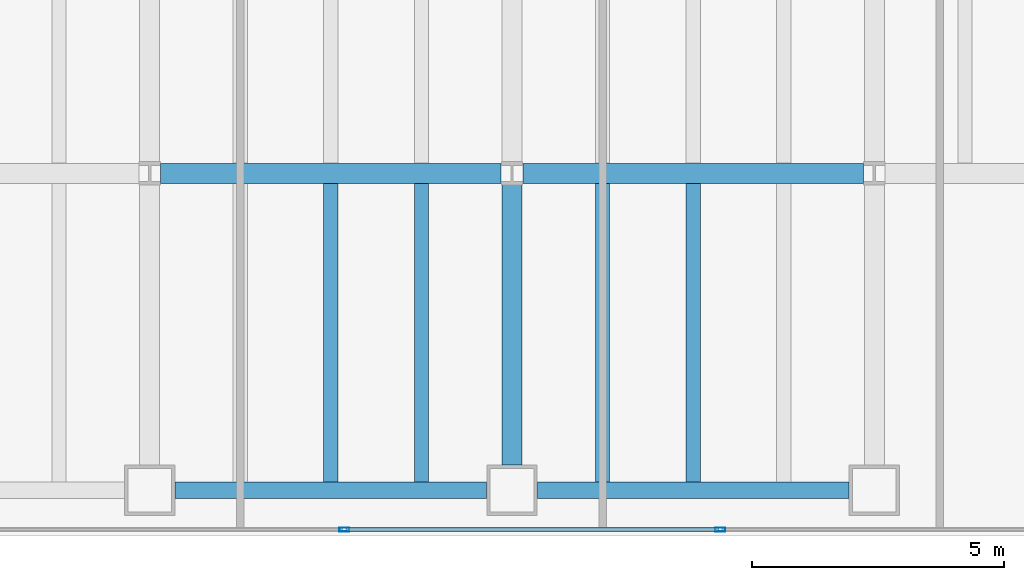
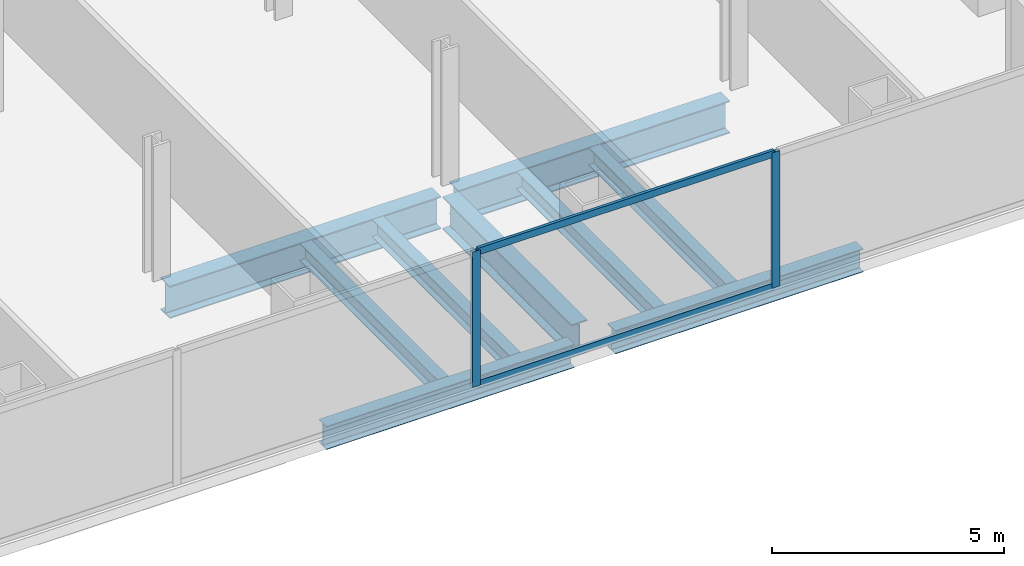
# One storey, part 7 of 23: 9 beams, 4 members, 1 element without a shape of its own.
"""IFC4 building model written with IfcOpenShell, lengths in metres."""

from ifc_helpers import new_model, si_unit, direction, frame, origin, origin_2d, place, context, subcontext, project, spatial, hollow_rectangle, i_section, extrude, material, material_profile, profile_set, type_object, element, aggregate, save


model = new_model("IFC4")

# Units and contexts
model_context = context("Model", 3, precision=1e-05, world=origin(), true_north=direction((0.0, 1.0)))
body_context = subcontext(model_context, "Body", "Model", "MODEL_VIEW")
ifc_project = project(units=[si_unit("LENGTHUNIT", "METRE"), si_unit("AREAUNIT", "SQUARE_METRE"), si_unit("VOLUMEUNIT", "CUBIC_METRE"), si_unit("PLANEANGLEUNIT", "RADIAN"), si_unit("MASSUNIT", "GRAM", prefix="KILO")], contexts=[model_context])

# Site, building, storey
site_placement = place(None, origin())
site = spatial("IfcSite", under=ifc_project, at=site_placement, CompositionType="ELEMENT")
building_placement = place(site_placement, origin())
building = spatial("IfcBuilding", under=site, at=building_placement, Name="Cobrela Telecom Tower", CompositionType="ELEMENT")
storey_placement = place(building_placement, frame((0.0, 0.0, 54.25)))
storey = spatial("IfcBuildingStorey", under=building, at=storey_placement, Name="L13", CompositionType="ELEMENT", Elevation=54.25)

# Beams
ifc_material_1 = material(Name="Steel ASTM A992 Grade 50", Category="steel")
ifc_material_profile_1 = material_profile(ifc_material_1, i_section(OverallWidth=0.39892578125, OverallDepth=0.85595703125, WebThickness=0.018310546875, FlangeThickness=0.029296875, FilletRadius=0.02001953125, at=origin_2d()), Name="W33X201")
ifc_profile_set_1 = profile_set([ifc_material_profile_1], Name="Steel ASTM A992 Grade 50")
beam_type_1 = type_object("IfcBeamType", Name="BM-GIRD-03", PredefinedType="USERDEFINED", material=ifc_profile_set_1)
for number, where, z_axis, x_axis, name in (
    (1, (29.01611328125, 7.199951171875, -0.7080078125), (1.0, 0.0, 0.0), (0.0, 1.0, 0.0), "L13 Primary Girder X10"),
    (2, (36.216064453125, 7.199951171875, -0.7080078125), (1.0, 0.0, 0.0), (0.0, 1.0, 0.0), "L13 Primary Girder X11"),
):
    element("IfcBeam", number, at=place(storey_placement, frame(where, z_axis=z_axis, x_axis=x_axis)), inside=storey, type_object=beam_type_1, Name=name, ObjectType="GIRDER", PredefinedType="USERDEFINED", context=body_context, shape_type="SweptSolid", body=[
        extrude(i_section(OverallWidth=0.39892578125, OverallDepth=0.85595703125, WebThickness=0.018310546875, FlangeThickness=0.029296875, FilletRadius=0.02001953125, at=origin_2d()), origin(), (0.0, 0.0, 1.0), 6.767822265625),
    ])
beam_placement = place(storey_placement, frame((36.0, 1.405029296875, -0.7080078125), z_axis=(0.0, 1.0, 0.0), x_axis=(-1.0, 0.0, 0.0)))
element("IfcBeam", 3, at=beam_placement, inside=storey, type_object=beam_type_1, Name="L13 Primary Girder Y50", ObjectType="GIRDER", PredefinedType="USERDEFINED", context=body_context, shape_type="SweptSolid", body=[
    extrude(i_section(OverallWidth=0.39892578125, OverallDepth=0.85595703125, WebThickness=0.018310546875, FlangeThickness=0.029296875, FilletRadius=0.02001953125, at=origin_2d()), origin(), (0.0, 0.0, 1.0), 5.578857421875),
])
ifc_material_profile_2 = material_profile(ifc_material_1, i_section(OverallWidth=0.281982421875, OverallDepth=0.467041015625, WebThickness=0.01220703125, FlangeThickness=0.01953125, FilletRadius=0.012939453125, at=origin_2d()), Name="W18X86")
ifc_profile_set_2 = profile_set([ifc_material_profile_2], Name="Steel ASTM A992 Grade 50")
beam_type_2 = type_object("IfcBeamType", Name="BM-JOIST-02", PredefinedType="JOIST", material=ifc_profile_set_2)
for number, where, z_axis, x_axis, name in (
    (4, (32.39990234375, 1.0673828125, -0.513427734375), (0.0, 1.0, 0.0), (-1.0, 0.0, 0.0), "L13 Secondary Composite Floor Beam J44"),
    (5, (34.199951171875, 1.0673828125, -0.513427734375), (0.0, 1.0, 0.0), (-1.0, 0.0, 0.0), "L13 Secondary Composite Floor Beam J47"),
    (6, (37.800048828125, 1.0673828125, -0.513427734375), (0.0, 1.0, 0.0), (-1.0, 0.0, 0.0), "L13 Secondary Composite Floor Beam J50"),
    (7, (39.60009765625, 1.0673828125, -0.513427734375), (0.0, 1.0, 0.0), (-1.0, 0.0, 0.0), "L13 Secondary Composite Floor Beam J53"),
):
    element("IfcBeam", number, at=place(storey_placement, frame(where, z_axis=z_axis, x_axis=x_axis)), inside=storey, type_object=beam_type_2, Name=name, PredefinedType="JOIST", context=body_context, shape_type="SweptSolid", body=[
        extrude(i_section(OverallWidth=0.281982421875, OverallDepth=0.467041015625, WebThickness=0.01220703125, FlangeThickness=0.01953125, FilletRadius=0.012939453125, at=origin_2d()), origin(), (0.0, 0.0, 1.0), 5.92822265625),
    ])
ifc_material_profile_3 = material_profile(ifc_material_1, i_section(OverallWidth=0.324951171875, OverallDepth=0.612060546875, WebThickness=0.0126953125, FlangeThickness=0.01904296875, FilletRadius=0.014892578125, at=origin_2d()), Name="W24X104")
ifc_profile_set_3 = profile_set([ifc_material_profile_3], Name="Steel ASTM A992 Grade 50")
beam_type_3 = type_object("IfcBeamType", Name="BM-SPAND-02", PredefinedType="SPANDREL", material=ifc_profile_set_3)
for number, where, z_axis, x_axis, name in (
    (8, (29.304931640625, 0.89990234375, -0.5859375), (1.0, 0.0, 0.0), (0.0, 1.0, 0.0), "L13 Perimeter Spandrel X04"),
    (9, (36.5048828125, 0.89990234375, -0.5859375), (1.0, 0.0, 0.0), (0.0, 1.0, 0.0), "L13 Perimeter Spandrel X05"),
):
    element("IfcBeam", number, at=place(storey_placement, frame(where, z_axis=z_axis, x_axis=x_axis)), inside=storey, type_object=beam_type_3, Name=name, PredefinedType="SPANDREL", context=body_context, shape_type="SweptSolid", body=[
        extrude(i_section(OverallWidth=0.324951171875, OverallDepth=0.612060546875, WebThickness=0.0126953125, FlangeThickness=0.01904296875, FilletRadius=0.014892578125, at=origin_2d()), origin(), (0.0, 0.0, 1.0), 6.190185546875),
    ])

# Curtain wall, members
ifc_material_2 = material(Name="Anodized Bronze Aluminium 6063-T6", Category="aluminium")
curtain_wall_type = type_object("IfcCurtainWallType", Name="CW-SYS-DATA", PredefinedType="USERDEFINED", material=ifc_material_2)
curtain_wall_placement = place(storey_placement, origin())
curtain_wall = element("IfcCurtainWall", 10, at=curtain_wall_placement, inside=storey, type_object=curtain_wall_type, Name="L13 Unitised Bronze Curtain Wall 17", ObjectType="UNITISED CURTAIN WALL", PredefinedType="USERDEFINED")
ifc_material_profile_4 = material_profile(ifc_material_2, hollow_rectangle(XDim=0.080078125, YDim=0.199951171875, WallThickness=0.00390625, at=origin_2d()), Name="ALU 80x200x4")
ifc_profile_set_4 = profile_set([ifc_material_profile_4], Name="Anodized Bronze Aluminium 6063-T6")
member_type_1 = type_object("IfcMemberType", Name="CW-SYS-DATA-MUL", PredefinedType="MULLION", material=ifc_profile_set_4)
member_1_placement = place(storey_placement, frame((40.139892578125, 0.1201171875, 0.0), z_axis=(0.0, 0.0, 1.0), x_axis=(0.0, -1.0, 0.0)))
member_1 = element("IfcMember", 11, at=member_1_placement, type_object=member_type_1, Name="CW-DATA mullion 2", PredefinedType="MULLION", context=body_context, shape_type="SweptSolid", body=[
    extrude(hollow_rectangle(XDim=0.080078125, YDim=0.199951171875, WallThickness=0.00390625, at=origin_2d()), origin(), (0.0, 0.0, 1.0), 3.570068359375),
])
member_2_placement = place(storey_placement, frame((32.669921875, 0.1201171875, 0.0), z_axis=(0.0, 0.0, 1.0), x_axis=(0.0, -1.0, 0.0)))
member_2 = element("IfcMember", 12, at=member_2_placement, type_object=member_type_1, Name="CW-DATA mullion 3", PredefinedType="MULLION", context=body_context, shape_type="SweptSolid", body=[
    extrude(hollow_rectangle(XDim=0.080078125, YDim=0.199951171875, WallThickness=0.00390625, at=origin_2d()), origin(), (0.0, 0.0, 1.0), 3.570068359375),
])
ifc_material_profile_5 = material_profile(ifc_material_2, hollow_rectangle(XDim=0.074951171875, YDim=0.179931640625, WallThickness=0.00390625, at=origin_2d()), Name="ALU 75x180x4")
ifc_profile_set_5 = profile_set([ifc_material_profile_5], Name="Anodized Bronze Aluminium 6063-T6")
member_type_2 = type_object("IfcMemberType", Name="CW-SYS-DATA-TRN", PredefinedType="USERDEFINED", material=ifc_profile_set_5)
member_3_placement = place(storey_placement, frame((40.10009765625, 0.1201171875, 0.03759765625), z_axis=(-1.0, 0.0, 0.0), x_axis=(0.0, -1.0, 0.0)))
member_3 = element("IfcMember", 13, at=member_3_placement, type_object=member_type_2, Name="CW-DATA transom 2.1", ObjectType="TRANSOM", PredefinedType="USERDEFINED", context=body_context, shape_type="SweptSolid", body=[
    extrude(hollow_rectangle(XDim=0.074951171875, YDim=0.179931640625, WallThickness=0.00390625, at=origin_2d()), origin(), (0.0, 0.0, 1.0), 7.39013671875),
])
member_4_placement = place(storey_placement, frame((40.10009765625, 0.1201171875, 3.532470703125), z_axis=(-1.0, 0.0, 0.0), x_axis=(0.0, -1.0, 0.0)))
member_4 = element("IfcMember", 14, at=member_4_placement, type_object=member_type_2, Name="CW-DATA transom 2.2", ObjectType="TRANSOM", PredefinedType="USERDEFINED", context=body_context, shape_type="SweptSolid", body=[
    extrude(hollow_rectangle(XDim=0.074951171875, YDim=0.179931640625, WallThickness=0.00390625, at=origin_2d()), origin(), (0.0, 0.0, 1.0), 7.39013671875),
])
aggregate(curtain_wall, [member_1, member_2, member_3, member_4])

save(model, "model.ifc")
